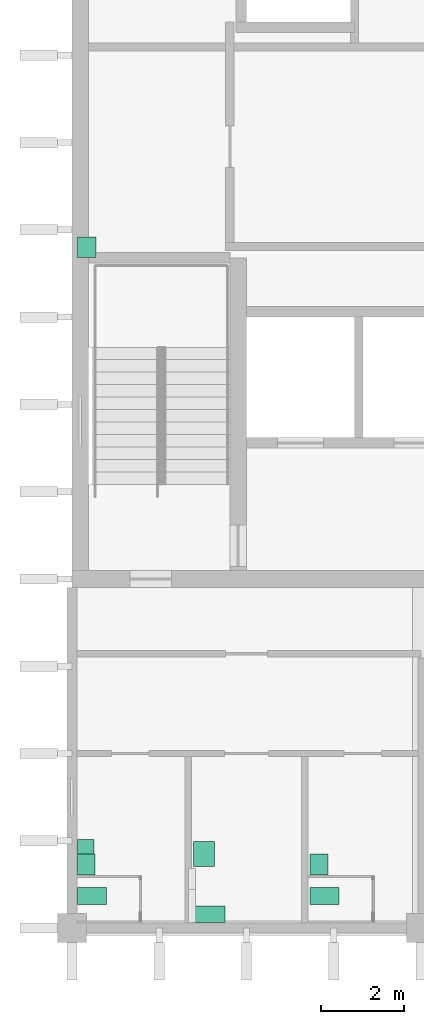
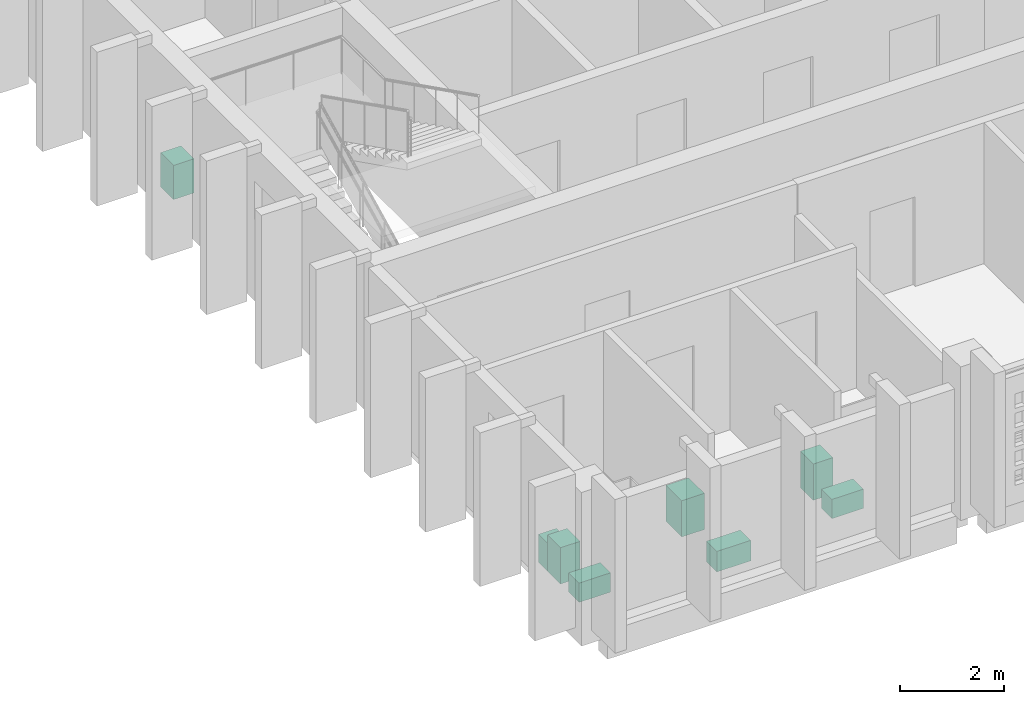
# One storey, part 13 of 13: 8 sanitary terminals.
"""IFC4 building model written with IfcOpenShell, lengths in metres."""

import ifcopenshell
import ifcopenshell.guid

model = None  # the IFC model being written
_history = None  # IfcOwnerHistory: only IFC2X3 demands one
_inside = {}  # id of a spatial element -> (the spatial element, [elements in it])
_under = {}  # id of a project, library or spatial element -> (it, [spatial elements below it])
_declared = {}  # id of a project -> (the project, [libraries it declares])
_typed = {}  # id of a type object -> (the type object, [elements of that type])
_made_of = {}  # id of a material, layer set ... -> (it, [elements and type objects made of it])


def new_model(schema):
    """Start an empty IFC model of exactly this schema.

    Asked for "IFC4X3", IfcOpenShell would pick the latest addendum, in which some entities
    have other attributes; the version numbers below select the first issue.
    IFC2X3 requires an IfcOwnerHistory on every rooted entity: one is made here for all.
    """
    global model, _history
    if schema == "IFC4X3":
        model = ifcopenshell.file(schema_version=(4, 3, 0, 0))
    else:
        model = ifcopenshell.file(schema=schema)
    _inside.clear()
    _under.clear()
    _declared.clear()
    _typed.clear()
    _made_of.clear()
    _history = None
    if model.schema == "IFC2X3":
        org = make("IfcOrganization", Name="unknown")
        user = make(
            "IfcPersonAndOrganization",
            ThePerson=make("IfcPerson", FamilyName="unknown"),
            TheOrganization=org,
        )
        app = make(
            "IfcApplication",
            ApplicationDeveloper=org,
            Version="unknown",
            ApplicationFullName="unknown",
            ApplicationIdentifier="unknown",
        )
        _history = make(
            "IfcOwnerHistory",
            OwningUser=user,
            OwningApplication=app,
            ChangeAction="ADDED",
            CreationDate=0,
        )
    return model


def make(cls, **values):
    """One entity of the class cls with the attributes given. An attribute that is None is left unset."""
    return model.create_entity(
        cls, **{name: value for name, value in values.items() if value is not None}
    )


def rooted(cls, **values):
    """An entity with a GlobalId (a new one), such as an element, a storey or a relation."""
    return make(cls, GlobalId=ifcopenshell.guid.new(), OwnerHistory=_history, **values)


def si_unit(unit_type, name, prefix=None):
    """IfcSIUnit, for example si_unit("LENGTHUNIT", "METRE", prefix="MILLI")."""
    return make("IfcSIUnit", UnitType=unit_type, Prefix=prefix, Name=name)


def assignment(units):
    """IfcUnitAssignment: the units of a project."""
    return None if units is None else make("IfcUnitAssignment", Units=units)


def point(xyz):
    """IfcCartesianPoint."""
    return None if xyz is None else make("IfcCartesianPoint", Coordinates=xyz)


def direction(xyz):
    """IfcDirection."""
    return None if xyz is None else make("IfcDirection", DirectionRatios=xyz)


def frame(location, z_axis=None, x_axis=None):
    """IfcAxis2Placement3D, a coordinate frame: its origin and axes. An axis left out is left unset."""
    return make(
        "IfcAxis2Placement3D",
        Location=point(location),
        Axis=direction(z_axis),
        RefDirection=direction(x_axis),
    )


def frame_2d(location, x_axis=None):
    """IfcAxis2Placement2D, a coordinate frame in the plane: its origin and x axis."""
    return make(
        "IfcAxis2Placement2D", Location=point(location), RefDirection=direction(x_axis)
    )


def origin():
    """The frame at (0, 0, 0) with its axes left unset."""
    return frame((0.0, 0.0, 0.0))


def origin_2d():
    """The frame at (0, 0) in the plane with its x axis left unset."""
    return frame_2d((0.0, 0.0))


def place(relative_to, where):
    """IfcLocalPlacement: puts the frame where relative to a parent placement (None: the world)."""
    return make(
        "IfcLocalPlacement", PlacementRelTo=relative_to, RelativePlacement=where
    )


def context(
    kind, dimensions, precision=None, world=None, true_north=None, identifier=None
):
    """IfcGeometricRepresentationContext, for example the 3D "Model" context."""
    return make(
        "IfcGeometricRepresentationContext",
        ContextIdentifier=identifier,
        ContextType=kind,
        CoordinateSpaceDimension=dimensions,
        Precision=precision,
        WorldCoordinateSystem=world,
        TrueNorth=true_north,
    )


def subcontext(parent, identifier, kind, view, scale=None):
    """IfcGeometricRepresentationSubContext, for example "Body" below "Model"."""
    return make(
        "IfcGeometricRepresentationSubContext",
        ContextIdentifier=identifier,
        ContextType=kind,
        ParentContext=parent,
        TargetScale=scale,
        TargetView=view,
    )


def project(units=None, contexts=None):
    """IfcProject with its units and contexts."""
    return rooted(
        "IfcProject",
        Name="project",
        RepresentationContexts=contexts,
        UnitsInContext=assignment(units),
    )


def spatial(cls, under=None, at=None, **own):
    """A site, building, storey or space (cls), placed at a placement, below another one or the project."""
    s = rooted(cls, ObjectPlacement=at, **own)
    if under is not None:
        _under.setdefault(under.id(), (under, []))[1].append(s)
    return s


def profile(cls, at=None, kind="AREA", **sizes):
    """A parametric profile (cls). Its sizes go by their IFC names, for example OverallWidth=200.0."""
    return make(cls, ProfileType=kind, Position=at, **sizes)


def rectangle(**sizes):
    """IfcRectangleProfileDef."""
    return profile("IfcRectangleProfileDef", **sizes)


def extrude(swept, where, along, depth):
    """IfcExtrudedAreaSolid: the profile swept, set in the frame where, extruded along a direction by depth."""
    return make(
        "IfcExtrudedAreaSolid",
        SweptArea=swept,
        Position=where,
        ExtrudedDirection=direction(along),
        Depth=depth,
    )


def shape(context_of_items, identifier, shape_type, items):
    """IfcShapeRepresentation: the items that make up one representation, for example the "Body"."""
    return make(
        "IfcShapeRepresentation",
        ContextOfItems=context_of_items,
        RepresentationIdentifier=identifier,
        RepresentationType=shape_type,
        Items=items,
    )


def material(Name=None, Category=None):
    """IfcMaterial."""
    return make("IfcMaterial", Name=Name, Category=Category)


def made_of(thing, what):
    """Note that an element or type object is made of a material, layer set ...; save() writes the relation."""
    if what is not None:
        _made_of.setdefault(what.id(), (what, []))[1].append(thing)
    return thing


def type_object(cls, material=None, **own):
    """A type object (cls), such as IfcWallType, which elements share."""
    return made_of(rooted(cls, **own), material)


def element(
    cls,
    number,
    at=None,
    inside=None,
    cuts=None,
    type_object=None,
    material=None,
    context=None,
    identifier="Body",
    shape_type=None,
    held_by="IfcProductDefinitionShape",
    body=None,
    shapes=None,
    **own,
):
    """One element of the class cls, such as IfcWall. Its Tag is "e" and its number.

    at: its placement. inside: the storey or other place that contains it. cuts: it is an
    opening in that element (IfcRelVoidsElement). A single representation is given by context,
    identifier, shape_type and body (its items); several are given by shapes. held_by: the class
    of the entity that holds the representations. save() writes the other relations.
    """
    e = rooted(cls, Tag="e%d" % number, ObjectPlacement=at, **own)
    if body is not None:
        shapes = [shape(context, identifier, shape_type, body)]
    if shapes is not None:
        e.Representation = make(held_by, Representations=shapes)
    if inside is not None:
        _inside.setdefault(inside.id(), (inside, []))[1].append(e)
    if cuts is not None:
        rooted(
            "IfcRelVoidsElement", RelatingBuildingElement=cuts, RelatedOpeningElement=e
        )
    if type_object is not None:
        _typed.setdefault(type_object.id(), (type_object, []))[1].append(e)
    return made_of(e, material)


def aggregate(whole, parts):
    """IfcRelAggregates: a whole, such as a stair, and the parts it consists of."""
    return rooted("IfcRelAggregates", RelatingObject=whole, RelatedObjects=parts)


def save(model, path):
    """Write the relations noted so far, then the file.

    IfcRelAggregates (storeys below a building ...), IfcRelContainedInSpatialStructure (elements
    in a storey), IfcRelDefinesByType, IfcRelAssociatesMaterial and IfcRelDeclares: one each for
    every whole, place, type object, material and project.
    """
    for whole, parts in _under.values():
        aggregate(whole, parts)
    for where, things in _inside.values():
        rooted(
            "IfcRelContainedInSpatialStructure",
            RelatedElements=things,
            RelatingStructure=where,
        )
    for kind, things in _typed.values():
        rooted("IfcRelDefinesByType", RelatedObjects=things, RelatingType=kind)
    for what, things in _made_of.values():
        rooted("IfcRelAssociatesMaterial", RelatedObjects=things, RelatingMaterial=what)
    for by, libraries in _declared.values():
        rooted("IfcRelDeclares", RelatingContext=by, RelatedDefinitions=libraries)
    model.write(path)


model = new_model("IFC4")

# Units and contexts
model_context = context("Model", 3, precision=1e-05, world=origin(), true_north=direction((0.0, 1.0)))
body_context = subcontext(model_context, "Body", "Model", "MODEL_VIEW")
ifc_project = project(units=[si_unit("LENGTHUNIT", "METRE"), si_unit("AREAUNIT", "SQUARE_METRE"), si_unit("VOLUMEUNIT", "CUBIC_METRE"), si_unit("PLANEANGLEUNIT", "RADIAN"), si_unit("MASSUNIT", "GRAM", prefix="KILO")], contexts=[model_context])

# Site, building, storey
site_placement = place(None, origin())
site = spatial("IfcSite", under=ifc_project, at=site_placement, CompositionType="ELEMENT")
building_placement = place(site_placement, origin())
building = spatial("IfcBuilding", under=site, at=building_placement, Name="Rulbaag Community and Learning Centre", CompositionType="ELEMENT")
storey_placement = place(building_placement, frame((0.0, 0.0, 54.0)))
storey = spatial("IfcBuildingStorey", under=building, at=storey_placement, Name="L14", CompositionType="ELEMENT", Elevation=54.0)

# Sanitary terminals
ifc_material_1 = material(Name="Vitreous china", Category="ceramic")
sanitary_terminal_type_1 = type_object("IfcSanitaryTerminalType", Name="BS-500", PredefinedType="WASHHANDBASIN", material=ifc_material_1)
for number, where, z_axis, x_axis, name in (
    (1, (143.14501953125, 85.530029296875, 0.0), (0.0, 0.0, 1.0), (1.0, 0.0, 0.0), "Basin 105"),
    (2, (148.7451171875, 85.530029296875, 0.0), (0.0, 0.0, 1.0), (1.0, 0.0, 0.0), "Basin 106"),
):
    element("IfcSanitaryTerminal", number, at=place(storey_placement, frame(where, z_axis=z_axis, x_axis=x_axis)), inside=storey, type_object=sanitary_terminal_type_1, Name=name, PredefinedType="WASHHANDBASIN", context=body_context, shape_type="SweptSolid", body=[
        extrude(rectangle(XDim=0.429931640625, YDim=0.5, at=origin_2d()), origin(), (0.0, 0.0, 1.0), 0.85009765625),
    ])
sanitary_terminal_type_2 = type_object("IfcSanitaryTerminalType", Name="BS-AC-600", PredefinedType="WASHHANDBASIN", material=ifc_material_1)
sanitary_terminal_1_placement = place(storey_placement, frame((145.97998046875, 85.780029296875, 0.0), z_axis=(0.0, 0.0, 1.0), x_axis=(1.0, 0.0, 0.0)))
element("IfcSanitaryTerminal", 3, at=sanitary_terminal_1_placement, inside=storey, type_object=sanitary_terminal_type_2, Name="Basin 107", PredefinedType="WASHHANDBASIN", context=body_context, shape_type="SweptSolid", body=[
    extrude(rectangle(XDim=0.5, YDim=0.60009765625, at=origin_2d()), origin(), (0.0, 0.0, 1.0), 0.85009765625),
])
ifc_material_2 = material(Name="Stainless steel", Category="steel")
sanitary_terminal_type_3 = type_object("IfcSanitaryTerminalType", Name="SK-CL-500", PredefinedType="SINK", material=ifc_material_2)
sanitary_terminal_2_placement = place(storey_placement, frame((143.155029296875, 100.3798828125, 0.0), z_axis=(0.0, 0.0, 1.0), x_axis=(1.0, 0.0, 0.0)))
element("IfcSanitaryTerminal", 4, at=sanitary_terminal_2_placement, inside=storey, type_object=sanitary_terminal_type_3, Name="Sink 23", PredefinedType="SINK", context=body_context, shape_type="SweptSolid", body=[
    extrude(rectangle(XDim=0.449951171875, YDim=0.5, at=origin_2d()), origin(), (0.0, 0.0, 1.0), 0.800048828125),
])
sanitary_terminal_type_4 = type_object("IfcSanitaryTerminalType", Name="UR-350", PredefinedType="URINAL", material=ifc_material_1)
sanitary_terminal_3_placement = place(storey_placement, frame((143.1298828125, 85.955078125, 0.0), z_axis=(0.0, 0.0, 1.0), x_axis=(1.0, 0.0, 0.0)))
element("IfcSanitaryTerminal", 5, at=sanitary_terminal_3_placement, inside=storey, type_object=sanitary_terminal_type_4, Name="Urinal 164", PredefinedType="URINAL", context=body_context, shape_type="SweptSolid", body=[
    extrude(rectangle(XDim=0.39990234375, YDim=0.35009765625, at=origin_2d()), origin(), (0.0, 0.0, 1.0), 0.64990234375),
])
sanitary_terminal_type_5 = type_object("IfcSanitaryTerminalType", Name="WC-400", PredefinedType="TOILETPAN", material=ifc_material_1)
for number, where, z_axis, x_axis, name in (
    (6, (143.280029296875, 84.77001953125, 0.0), (0.0, 0.0, 1.0), (1.0, 0.0, 0.0), "WC 166"),
    (7, (148.8798828125, 84.77001953125, 0.0), (0.0, 0.0, 1.0), (1.0, 0.0, 0.0), "WC 167"),
):
    element("IfcSanitaryTerminal", number, at=place(storey_placement, frame(where, z_axis=z_axis, x_axis=x_axis)), inside=storey, type_object=sanitary_terminal_type_5, Name=name, PredefinedType="TOILETPAN", context=body_context, shape_type="SweptSolid", body=[
        extrude(rectangle(XDim=0.699951171875, YDim=0.39990234375, at=origin_2d()), origin(), (0.0, 0.0, 1.0), 0.449951171875),
    ])
sanitary_terminal_type_6 = type_object("IfcSanitaryTerminalType", Name="WC-AC-480", PredefinedType="TOILETPAN", material=ifc_material_1)
sanitary_terminal_4_placement = place(storey_placement, frame((146.10498046875, 84.330078125, 0.0), z_axis=(0.0, 0.0, 1.0), x_axis=(1.0, 0.0, 0.0)))
element("IfcSanitaryTerminal", 8, at=sanitary_terminal_4_placement, inside=storey, type_object=sanitary_terminal_type_6, Name="WC 168", PredefinedType="TOILETPAN", context=body_context, shape_type="SweptSolid", body=[
    extrude(rectangle(XDim=0.75, YDim=0.39990234375, at=origin_2d()), origin(), (0.0, 0.0, 1.0), 0.47998046875),
])

save(model, "model.ifc")
